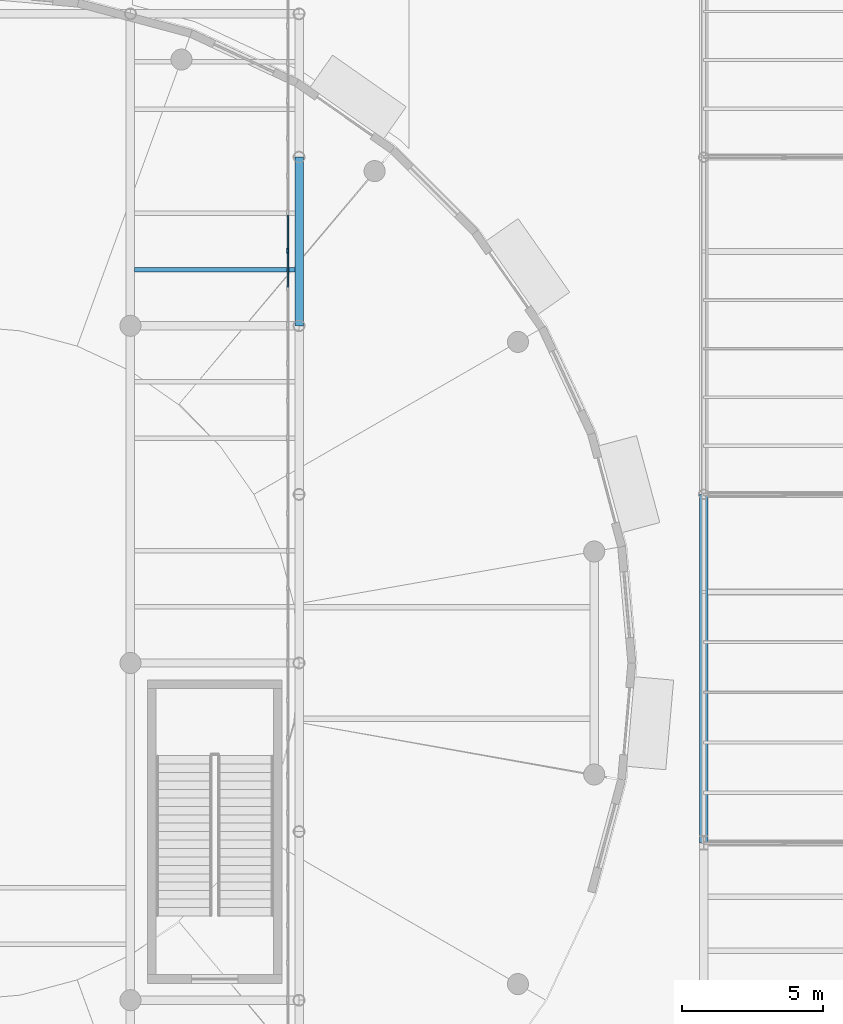
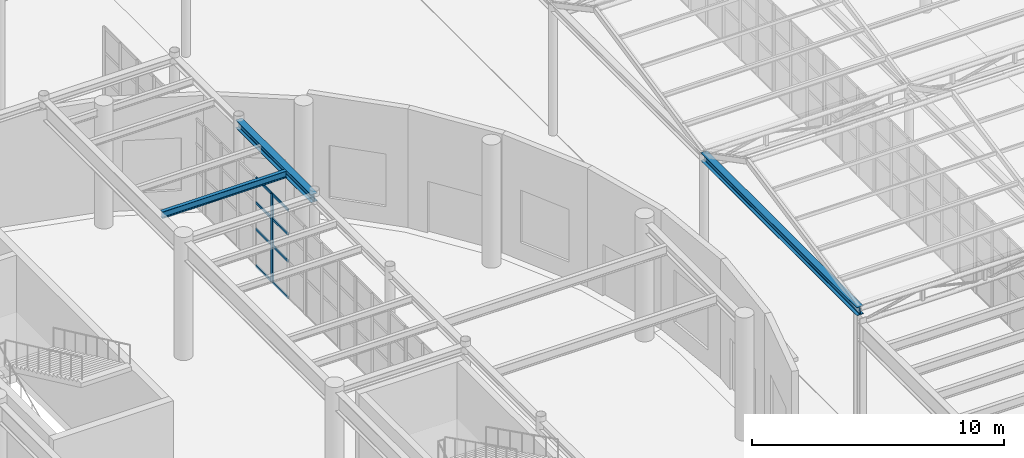
# One storey, part 41 of 118: 9 members, 3 beams, 1 element without a shape of its own.
"""IFC4 building model written with IfcOpenShell, lengths in metres."""

from ifc_helpers import new_model, si_unit, direction, frame, origin, origin_2d, place, context, subcontext, project, spatial, rectangle, i_section, extrude, material, material_profile, profile_set, type_object, element, aggregate, save


model = new_model("IFC4")

# Units and contexts
model_context = context("Model", 3, precision=1e-05, world=origin(), true_north=direction((0.0, 1.0)))
body_context = subcontext(model_context, "Body", "Model", "MODEL_VIEW")
ifc_project = project(units=[si_unit("LENGTHUNIT", "METRE"), si_unit("AREAUNIT", "SQUARE_METRE"), si_unit("VOLUMEUNIT", "CUBIC_METRE"), si_unit("PLANEANGLEUNIT", "RADIAN"), si_unit("MASSUNIT", "GRAM", prefix="KILO")], contexts=[model_context])

# Site, building, storey
site_placement = place(None, origin())
site = spatial("IfcSite", under=ifc_project, at=site_placement, CompositionType="ELEMENT")
building_placement = place(site_placement, origin())
building = spatial("IfcBuilding", under=site, at=building_placement, Name="Kolvaren Corner Interchange", CompositionType="ELEMENT")
storey_placement = place(building_placement, origin())
storey = spatial("IfcBuildingStorey", under=building, at=storey_placement, Name="L01", CompositionType="ELEMENT", Elevation=0.0)

# Beams
ifc_material_1 = material(Name="Steel S355", Category="steel")
ifc_material_profile_1 = material_profile(ifc_material_1, i_section(OverallWidth=0.300048828125, OverallDepth=0.389892578125, WebThickness=0.010986328125, FlangeThickness=0.01904296875, FilletRadius=0.027099609375, at=origin_2d()), Name="HEA 400")
ifc_profile_set_1 = profile_set([ifc_material_profile_1], Name="Steel S355")
beam_type_1 = type_object("IfcBeamType", Name="BM-HEA400", PredefinedType="BEAM", material=ifc_profile_set_1)
beam_1_placement = place(storey_placement, frame((132.0, 60.0, 5.554931640625), z_axis=(0.0, 1.0, 0.0), x_axis=(-1.0, 0.0, 0.0)))
element("IfcBeam", 1, at=beam_1_placement, inside=storey, type_object=beam_type_1, Name="Storey L01 Grid Y Primary Girder 0375", PredefinedType="BEAM", context=body_context, shape_type="SweptSolid", body=[
    extrude(i_section(OverallWidth=0.300048828125, OverallDepth=0.389892578125, WebThickness=0.010986328125, FlangeThickness=0.01904296875, FilletRadius=0.027099609375, at=origin_2d()), origin(), (0.0, 0.0, 1.0), 6.0),
])
beam_2_placement = place(storey_placement, frame((146.39990234375, 41.60009765625, 6.199951171875), z_axis=(0.0, 1.0, 0.0), x_axis=(-1.0, 0.0, 0.0)))
element("IfcBeam", 2, at=beam_2_placement, inside=storey, type_object=beam_type_1, Name="Bus Canopy Eaves Girder 007", PredefinedType="BEAM", context=body_context, shape_type="SweptSolid", body=[
    extrude(i_section(OverallWidth=0.300048828125, OverallDepth=0.389892578125, WebThickness=0.010986328125, FlangeThickness=0.01904296875, FilletRadius=0.027099609375, at=origin_2d()), origin(), (0.0, 0.0, 1.0), 12.39990234375),
])
ifc_material_2 = material(Name="Steel S355", Category="steel")
ifc_material_profile_2 = material_profile(ifc_material_2, i_section(OverallWidth=0.159912109375, OverallDepth=0.330078125, WebThickness=0.007568359375, FlangeThickness=0.011474609375, FilletRadius=0.01806640625, at=origin_2d()), Name="IPE 330")
ifc_profile_set_2 = profile_set([ifc_material_profile_2], Name="Steel S355")
beam_type_2 = type_object("IfcBeamType", Name="JS-IPE330", PredefinedType="JOIST", material=ifc_profile_set_2)
beam_3_placement = place(storey_placement, frame((126.14990234375, 62.0, 5.5849609375), z_axis=(1.0, 0.0, 0.0), x_axis=(0.0, 1.0, 0.0)))
element("IfcBeam", 3, at=beam_3_placement, inside=storey, type_object=beam_type_2, Name="Storey L01 Composite Floor Joist 0382", PredefinedType="JOIST", context=body_context, shape_type="SweptSolid", body=[
    extrude(i_section(OverallWidth=0.159912109375, OverallDepth=0.330078125, WebThickness=0.007568359375, FlangeThickness=0.011474609375, FilletRadius=0.01806640625, at=origin_2d()), origin(), (0.0, 0.0, 1.0), 5.7001953125),
])

# Curtain wall, members
ifc_material_3 = material(Name="Unitised Aluminium and Solar-Control Glass Curtain Wall", Category="aluminium")
curtain_wall_type = type_object("IfcCurtainWallType", Name="CW-V4-BOARD", PredefinedType="NOTDEFINED", material=ifc_material_3)
curtain_wall_placement = place(storey_placement, origin())
curtain_wall = element("IfcCurtainWall", 4, at=curtain_wall_placement, inside=storey, type_object=curtain_wall_type, Name="Bus Island West Boarding Curtain Wall Bay 09", PredefinedType="NOTDEFINED")
ifc_material_4 = material(Name="Anodised Aluminium Framing", Category="aluminium")
ifc_material_profile_3 = material_profile(ifc_material_4, rectangle(XDim=0.06005859375, YDim=0.179931640625, at=origin_2d()), Name="ALU 60x180")
ifc_profile_set_3 = profile_set([ifc_material_profile_3], Name="Anodised Aluminium Framing")
member_type_1 = type_object("IfcMemberType", Name="MUL-ALU60x180", PredefinedType="MULLION", material=ifc_profile_set_3)
member_1_placement = place(storey_placement, frame((131.60009765625, 62.666748046875, 0.0), z_axis=(0.0, 0.0, 1.0), x_axis=(-1.0, 0.0, 0.0)))
member_1 = element("IfcMember", 5, at=member_1_placement, type_object=member_type_1, Name="CW-134 mullion 3", PredefinedType="MULLION", context=body_context, shape_type="SweptSolid", body=[
    extrude(rectangle(XDim=0.06005859375, YDim=0.179931640625, at=origin_2d()), origin(), (0.0, 0.0, 1.0), 4.300048828125),
])
ifc_material_5 = material(Name="Anodised Aluminium Framing", Category="aluminium")
ifc_material_profile_4 = material_profile(ifc_material_5, rectangle(XDim=0.054931640625, YDim=0.1201171875, at=origin_2d()), Name="ALU 55x120")
ifc_profile_set_4 = profile_set([ifc_material_profile_4], Name="Anodised Aluminium Framing")
member_type_2 = type_object("IfcMemberType", Name="TRN-ALU55x120", PredefinedType="USERDEFINED", material=ifc_profile_set_4)
member_2_placement = place(storey_placement, frame((131.60009765625, 61.36328125, 0.027587890625), z_axis=(0.0, 1.0, 0.0), x_axis=(-1.0, 0.0, 0.0)))
member_2 = element("IfcMember", 6, at=member_2_placement, type_object=member_type_2, Name="CW-134 transom 2.1", ObjectType="TRANSOM", PredefinedType="USERDEFINED", context=body_context, shape_type="SweptSolid", body=[
    extrude(rectangle(XDim=0.054931640625, YDim=0.1201171875, at=origin_2d()), origin(), (0.0, 0.0, 1.0), 1.2734375),
])
member_3_placement = place(storey_placement, frame((131.60009765625, 61.36328125, 1.800048828125), z_axis=(0.0, 1.0, 0.0), x_axis=(-1.0, 0.0, 0.0)))
member_3 = element("IfcMember", 7, at=member_3_placement, type_object=member_type_2, Name="CW-134 transom 2.2", ObjectType="TRANSOM", PredefinedType="USERDEFINED", context=body_context, shape_type="SweptSolid", body=[
    extrude(rectangle(XDim=0.054931640625, YDim=0.1201171875, at=origin_2d()), origin(), (0.0, 0.0, 1.0), 1.2734375),
])
member_4_placement = place(storey_placement, frame((131.60009765625, 61.36328125, 3.10009765625), z_axis=(0.0, 1.0, 0.0), x_axis=(-1.0, 0.0, 0.0)))
member_4 = element("IfcMember", 8, at=member_4_placement, type_object=member_type_2, Name="CW-134 transom 2.3", ObjectType="TRANSOM", PredefinedType="USERDEFINED", context=body_context, shape_type="SweptSolid", body=[
    extrude(rectangle(XDim=0.054931640625, YDim=0.1201171875, at=origin_2d()), origin(), (0.0, 0.0, 1.0), 1.2734375),
])
member_5_placement = place(storey_placement, frame((131.60009765625, 61.36328125, 4.2724609375), z_axis=(0.0, 1.0, 0.0), x_axis=(-1.0, 0.0, 0.0)))
member_5 = element("IfcMember", 9, at=member_5_placement, type_object=member_type_2, Name="CW-134 transom 2.4", ObjectType="TRANSOM", PredefinedType="USERDEFINED", context=body_context, shape_type="SweptSolid", body=[
    extrude(rectangle(XDim=0.054931640625, YDim=0.1201171875, at=origin_2d()), origin(), (0.0, 0.0, 1.0), 1.2734375),
])
member_6_placement = place(storey_placement, frame((131.60009765625, 62.69677734375, 0.027587890625), z_axis=(0.0, 1.0, 0.0), x_axis=(-1.0, 0.0, 0.0)))
member_6 = element("IfcMember", 10, at=member_6_placement, type_object=member_type_2, Name="CW-134 transom 3.1", ObjectType="TRANSOM", PredefinedType="USERDEFINED", context=body_context, shape_type="SweptSolid", body=[
    extrude(rectangle(XDim=0.054931640625, YDim=0.1201171875, at=origin_2d()), origin(), (0.0, 0.0, 1.0), 1.2431640625),
])
member_7_placement = place(storey_placement, frame((131.60009765625, 62.69677734375, 1.800048828125), z_axis=(0.0, 1.0, 0.0), x_axis=(-1.0, 0.0, 0.0)))
member_7 = element("IfcMember", 11, at=member_7_placement, type_object=member_type_2, Name="CW-134 transom 3.2", ObjectType="TRANSOM", PredefinedType="USERDEFINED", context=body_context, shape_type="SweptSolid", body=[
    extrude(rectangle(XDim=0.054931640625, YDim=0.1201171875, at=origin_2d()), origin(), (0.0, 0.0, 1.0), 1.2431640625),
])
member_8_placement = place(storey_placement, frame((131.60009765625, 62.69677734375, 3.10009765625), z_axis=(0.0, 1.0, 0.0), x_axis=(-1.0, 0.0, 0.0)))
member_8 = element("IfcMember", 12, at=member_8_placement, type_object=member_type_2, Name="CW-134 transom 3.3", ObjectType="TRANSOM", PredefinedType="USERDEFINED", context=body_context, shape_type="SweptSolid", body=[
    extrude(rectangle(XDim=0.054931640625, YDim=0.1201171875, at=origin_2d()), origin(), (0.0, 0.0, 1.0), 1.2431640625),
])
member_9_placement = place(storey_placement, frame((131.60009765625, 62.69677734375, 4.2724609375), z_axis=(0.0, 1.0, 0.0), x_axis=(-1.0, 0.0, 0.0)))
member_9 = element("IfcMember", 13, at=member_9_placement, type_object=member_type_2, Name="CW-134 transom 3.4", ObjectType="TRANSOM", PredefinedType="USERDEFINED", context=body_context, shape_type="SweptSolid", body=[
    extrude(rectangle(XDim=0.054931640625, YDim=0.1201171875, at=origin_2d()), origin(), (0.0, 0.0, 1.0), 1.2431640625),
])
aggregate(curtain_wall, [member_1, member_2, member_3, member_4, member_5, member_6, member_7, member_8, member_9])

save(model, "model.ifc")
